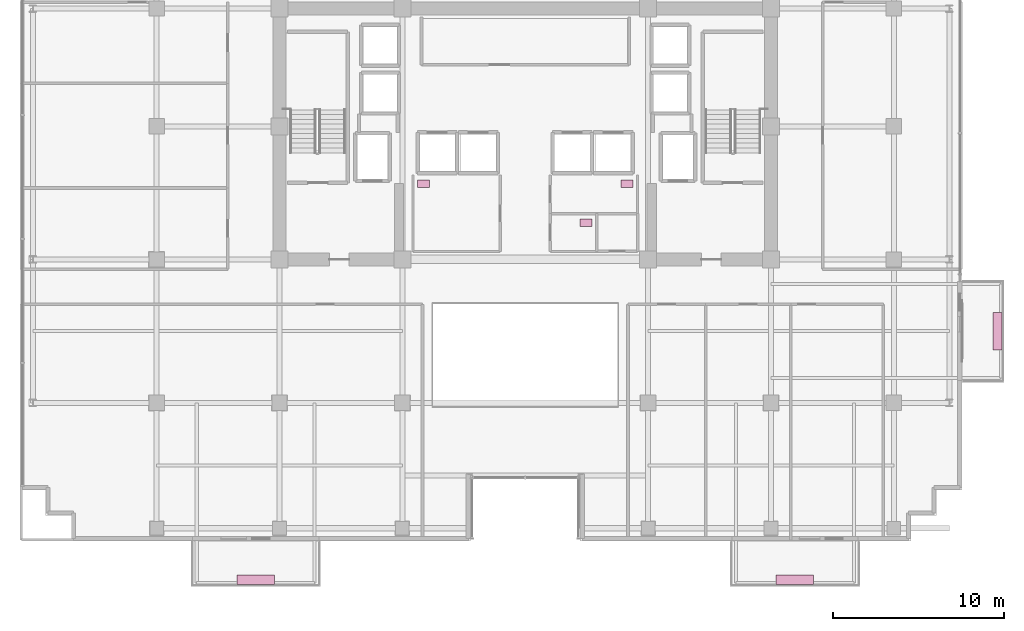
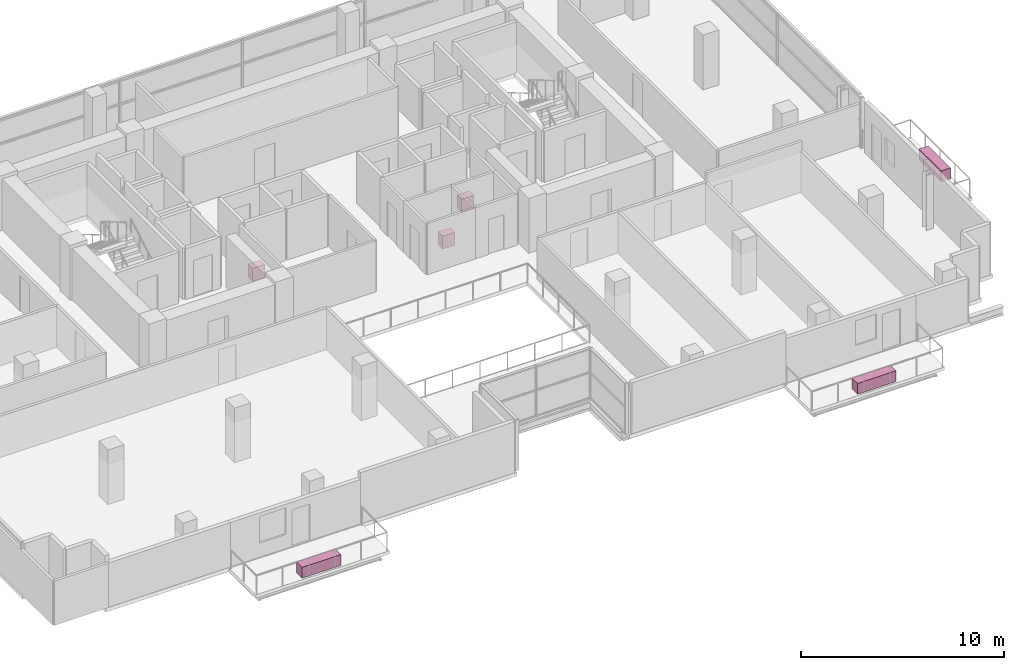
# One storey, part 27 of 27: 6 furnishings.
"""IFC4 building model written with IfcOpenShell, lengths in metres."""

from ifc_helpers import new_model, si_unit, direction, frame, origin, origin_2d, place, context, subcontext, project, spatial, rectangle, extrude, source, transform, mapped, material, type_object, element, save


model = new_model("IFC4")

# Units and contexts
model_context = context("Model", 3, precision=1e-05, world=origin(), true_north=direction((0.0, 1.0)))
body_context = subcontext(model_context, "Body", "Model", "MODEL_VIEW")
ifc_project = project(units=[si_unit("LENGTHUNIT", "METRE"), si_unit("AREAUNIT", "SQUARE_METRE"), si_unit("VOLUMEUNIT", "CUBIC_METRE"), si_unit("PLANEANGLEUNIT", "RADIAN"), si_unit("MASSUNIT", "GRAM", prefix="KILO")], contexts=[model_context])

# Site, building, storey
site_placement = place(None, origin())
site = spatial("IfcSite", under=ifc_project, at=site_placement, CompositionType="ELEMENT")
building_placement = place(site_placement, origin())
building = spatial("IfcBuilding", under=site, at=building_placement, Name="Zarnakvel Exchange Tower", CompositionType="ELEMENT")
storey_placement = place(building_placement, frame((0.0, 0.0, 106.60009765625)))
storey = spatial("IfcBuildingStorey", under=building, at=storey_placement, Name="L29", CompositionType="ELEMENT", Elevation=106.60009765625)

# Furnishings
ifc_material_1 = material(Name="Architectural Bronze Anodised Aluminium", Category="aluminium")
furnishing_element_type_1 = type_object("IfcFurnishingElementType", Name="PLNT-01", material=ifc_material_1)
shared_shape_1 = source(origin(), body_context, "Body", "SweptSolid", [
    extrude(rectangle(XDim=2.199951171875, YDim=0.550048828125, at=origin_2d()), origin(), (0.0, 0.0, 1.0), 0.64990234375),
])
for number, where, z_axis, x_axis, name in (
    (1, (-15.800048828125, -19.969970703125, -0.03515625), (0.0, 0.0, 1.0), (1.0, 0.0, 0.0), "L29 Balcony Greenery Planter BAL-L29-SW"),
    (2, (15.800048828125, -19.969970703125, -0.03515625), (0.0, 0.0, 1.0), (1.0, 0.0, 0.0), "L29 Balcony Greenery Planter BAL-L29-SE"),
    (3, (27.669921875, -5.39990234375, -0.03515625), (0.0, 0.0, 1.0), (0.0, 1.0, 0.0), "L29 Balcony Greenery Planter BAL-L29-E"),
):
    element("IfcFurnishingElement", number, at=place(storey_placement, frame(where, z_axis=z_axis, x_axis=x_axis)), inside=storey, type_object=furnishing_element_type_1, Name=name, ObjectType="PLANTER", context=body_context, shape_type="MappedRepresentation", body=[
        mapped(shared_shape_1, transform((0.0, 0.0, 0.0), x_axis=(1.0, 0.0, 0.0), y_axis=(0.0, 1.0, 0.0), z_axis=(0.0, 0.0, 1.0), scale=1.0)),
    ])
ifc_material_2 = material(Name="Vitreous China Sanitaryware", Category="ceramic")
furnishing_element_type_2 = type_object("IfcFurnishingElementType", Name="SAN-WC", material=ifc_material_2)
shared_shape_2 = source(origin(), body_context, "Body", "SweptSolid", [
    extrude(rectangle(XDim=0.699951171875, YDim=0.449951171875, at=origin_2d()), origin(), (0.0, 0.0, 1.0), 0.780029296875),
])
for number, where, z_axis, x_axis, name in (
    (4, (-5.949951171875, 3.22998046875, 0.0), (0.0, 0.0, 1.0), (1.0, 0.0, 0.0), "L29 Sanitary Fixture (Male Toilet)"),
    (5, (5.949951171875, 3.22998046875, 0.0), (0.0, 0.0, 1.0), (1.0, 0.0, 0.0), "L29 Sanitary Fixture (Female Toilet)"),
    (6, (3.550048828125, 0.949951171875, 0.0), (0.0, 0.0, 1.0), (1.0, 0.0, 0.0), "L29 Sanitary Fixture (Accessible Toilet)"),
):
    element("IfcFurnishingElement", number, at=place(storey_placement, frame(where, z_axis=z_axis, x_axis=x_axis)), inside=storey, type_object=furnishing_element_type_2, Name=name, ObjectType="SANITARY_FIXTURE", context=body_context, shape_type="MappedRepresentation", body=[
        mapped(shared_shape_2, transform((0.0, 0.0, 0.0), x_axis=(1.0, 0.0, 0.0), y_axis=(0.0, 1.0, 0.0), z_axis=(0.0, 0.0, 1.0), scale=1.0)),
    ])

save(model, "model.ifc")
